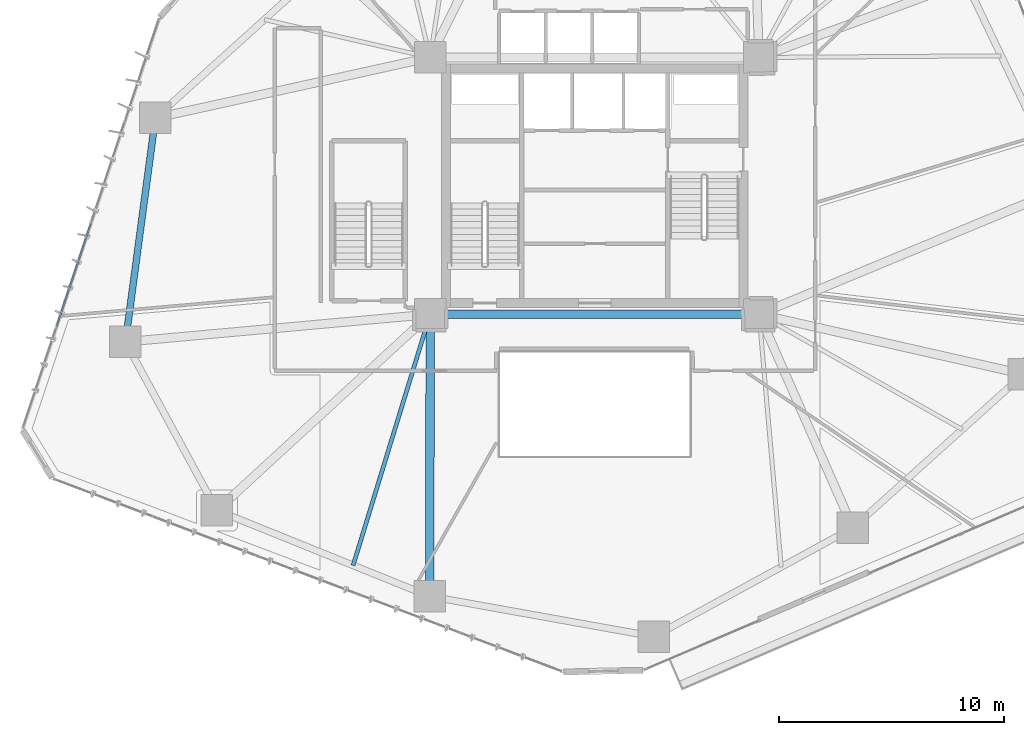
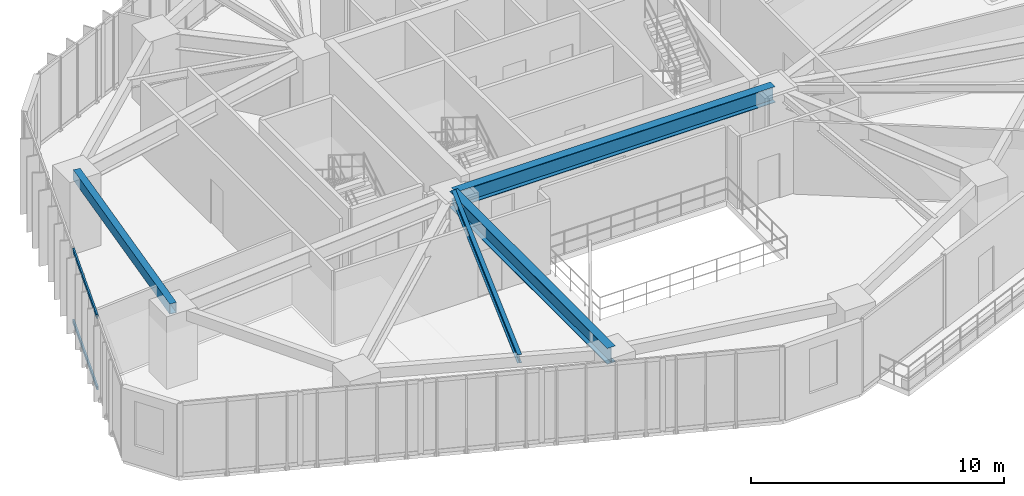
# One storey, part 5 of 23: 4 beams, 2 members, 1 element without a shape of its own.
"""IFC4 building model written with IfcOpenShell, lengths in metres."""

from ifc_helpers import new_model, si_unit, direction, frame, origin, origin_2d, place, context, subcontext, project, spatial, hollow_rectangle, i_section, extrude, source, transform, mapped, material, layer, layer_set, material_profile, profile_set, type_object, type_shapes, element, aggregate, save


model = new_model("IFC4")

# Units and contexts
model_context = context("Model", 3, precision=1e-05, world=origin(), true_north=direction((0.0, 1.0)))
body_context = subcontext(model_context, "Body", "Model", "MODEL_VIEW")
ifc_project = project(units=[si_unit("LENGTHUNIT", "METRE"), si_unit("AREAUNIT", "SQUARE_METRE"), si_unit("VOLUMEUNIT", "CUBIC_METRE"), si_unit("PLANEANGLEUNIT", "RADIAN"), si_unit("MASSUNIT", "GRAM", prefix="KILO")], contexts=[model_context])

# Site, building, storey
site_placement = place(None, origin())
site = spatial("IfcSite", under=ifc_project, at=site_placement, CompositionType="ELEMENT")
building_placement = place(site_placement, origin())
building = spatial("IfcBuilding", under=site, at=building_placement, Name="Talar Marvaseh", CompositionType="ELEMENT")
storey_placement = place(building_placement, frame((0.0, 0.0, 27.800048828125)))
storey = spatial("IfcBuildingStorey", under=building, at=storey_placement, Name="L06", CompositionType="ELEMENT", Elevation=27.800048828125)

# Beams
ifc_material_1 = material(Name="Steel S355", Category="steel")
ifc_material_profile_1 = material_profile(ifc_material_1, hollow_rectangle(XDim=0.300048828125, YDim=0.5, WallThickness=0.02001953125, at=origin_2d()), Name="RHS500x300x20")
ifc_profile_set_1 = profile_set([ifc_material_profile_1], Name="Steel S355")
beam_type_1 = type_object("IfcBeamType", Name="Zone 1 Perimeter Spandrel Beam RHS500x300x20", PredefinedType="SPANDREL", material=ifc_profile_set_1)
beam_1_placement = place(storey_placement, frame((5.175048828125, 24.27587890625, 3.27001953125), z_axis=(0.132340758564, 0.991204279461, 0.0), x_axis=(-0.991204279461, 0.132340758564, 0.0)))
element("IfcBeam", 1, at=beam_1_placement, inside=storey, type_object=beam_type_1, Name="L06 Zone 1 Perimeter Spandrel Beam RHS500x300x20", PredefinedType="SPANDREL", context=body_context, shape_type="SweptSolid", body=[
    extrude(hollow_rectangle(XDim=0.300048828125, YDim=0.5, WallThickness=0.02001953125, at=origin_2d()), origin(), (0.0, 0.0, 1.0), 10.0263671875),
])
ifc_material_profile_2 = material_profile(ifc_material_1, i_section(OverallWidth=0.381103515625, OverallDepth=0.77294921875, WebThickness=0.0166015625, FlangeThickness=0.027099609375, at=origin_2d()), Name="W760x257")
ifc_profile_set_2 = profile_set([ifc_material_profile_2], Name="Steel S355")
beam_type_2 = type_object("IfcBeamType", Name="Zone 1 Radial Floor Girder W760x257", PredefinedType="BEAM", material=ifc_profile_set_2)
beam_2_placement = place(storey_placement, frame((18.699951171875, 25.5, 3.133544921875), z_axis=(1.0, 0.0, 0.0), x_axis=(0.0, 1.0, 0.0)))
element("IfcBeam", 2, at=beam_2_placement, inside=storey, type_object=beam_type_2, Name="L06 Zone 1 Radial Floor Girder W760x257", PredefinedType="BEAM", context=body_context, shape_type="SweptSolid", body=[
    extrude(i_section(OverallWidth=0.381103515625, OverallDepth=0.77294921875, WebThickness=0.0166015625, FlangeThickness=0.027099609375, at=origin_2d()), origin(), (0.0, 0.0, 1.0), 14.60009765625),
])
beam_3_placement = place(storey_placement, frame((18.68310546875, 12.97900390625, 3.133544921875), z_axis=(0.001345395187, 0.999999094955, 0.0), x_axis=(-0.999999094955, 0.001345395187, 0.0)))
element("IfcBeam", 3, at=beam_3_placement, inside=storey, type_object=beam_type_2, Name="L06 Zone 1 Radial Floor Girder W760x257", PredefinedType="BEAM", context=body_context, shape_type="SweptSolid", body=[
    extrude(i_section(OverallWidth=0.381103515625, OverallDepth=0.77294921875, WebThickness=0.0166015625, FlangeThickness=0.027099609375, at=origin_2d()), origin(), (0.0, 0.0, 1.0), 12.52099609375),
])
ifc_material_profile_3 = material_profile(ifc_material_1, i_section(OverallWidth=0.179931640625, OverallDepth=0.4130859375, WebThickness=0.009765625, FlangeThickness=0.01611328125, at=origin_2d()), Name="W410x75")
ifc_profile_set_3 = profile_set([ifc_material_profile_3], Name="Steel S355")
beam_type_3 = type_object("IfcBeamType", Name="Zone 1 Secondary Floor Joist W410x75", PredefinedType="JOIST", material=ifc_profile_set_3)
beam_4_placement = place(storey_placement, frame((15.280517578125, 14.35302734375, 3.3134765625), z_axis=(0.293270595159, 0.956029475495, 0.0), x_axis=(-0.956029475495, 0.293270595159, 0.0)))
element("IfcBeam", 4, at=beam_4_placement, inside=storey, type_object=beam_type_3, Name="L06 Zone 1 Secondary Floor Joist W410x75", PredefinedType="JOIST", context=body_context, shape_type="SweptSolid", body=[
    extrude(i_section(OverallWidth=0.179931640625, OverallDepth=0.4130859375, WebThickness=0.009765625, FlangeThickness=0.01611328125, at=origin_2d()), origin(), (0.0, 0.0, 1.0), 11.65966796875),
])

# Curtain wall, members
ifc_material_2 = material(Name="Architectural Aluminium", Category="aluminium")
ifc_layer = layer(ifc_material_2, 0.219970703125)
ifc_layer_set = layer_set([ifc_layer], Name="Architectural Aluminium")
curtain_wall_type = type_object("IfcCurtainWallType", Name="Unitised Low-E Museum Curtain Wall Z1", PredefinedType="NOTDEFINED", material=ifc_layer_set)
curtain_wall_placement = place(storey_placement, origin())
curtain_wall = element("IfcCurtainWall", 5, at=curtain_wall_placement, inside=storey, type_object=curtain_wall_type, Name="L06 Unitised Low-E Museum Curtain Wall Z1", PredefinedType="NOTDEFINED")
ifc_material_profile_4 = material_profile(ifc_material_2, hollow_rectangle(XDim=0.074951171875, YDim=0.179931640625, WallThickness=0.0048828125, at=origin_2d()), Name="RHS180x75x5")
ifc_profile_set_4 = profile_set([ifc_material_profile_4], Name="Architectural Aluminium")
member_type = type_object("IfcMemberType", Name="Unitised Curtain Wall Transom RHS180x75x5", PredefinedType="USERDEFINED", material=ifc_profile_set_4)
shared_shape = source(origin(), body_context, "Body", "SweptSolid", [
    extrude(hollow_rectangle(XDim=0.074951171875, YDim=0.179931640625, WallThickness=0.0048828125, at=origin_2d()), origin(), (0.0, 0.0, 1.0), 4.736572265625),
])
type_shapes(member_type, [shared_shape])
member_1_placement = place(storey_placement, frame((2.1357421875, 25.00048828125, 0.037353515625), z_axis=(0.315701977023, 0.948858399185, 0.0), x_axis=(-0.948858399185, 0.315701977023, 0.0)))
member_1 = element("IfcMember", 6, at=member_1_placement, type_object=member_type, Name="CW-Z1 transom 2.1", ObjectType="TRANSOM", PredefinedType="USERDEFINED", context=body_context, shape_type="MappedRepresentation", body=[
    mapped(shared_shape, transform((0.0, 0.0, 0.0), x_axis=(1.0, 0.0, 0.0), y_axis=(0.0, 1.0, 0.0), z_axis=(0.0, 0.0, 1.0), scale=1.0)),
])
member_2_placement = place(storey_placement, frame((2.1357421875, 25.00048828125, 3.482421875), z_axis=(0.315701977023, 0.948858399185, 0.0), x_axis=(-0.948858399185, 0.315701977023, 0.0)))
member_2 = element("IfcMember", 7, at=member_2_placement, type_object=member_type, Name="CW-Z1 transom 2.2", ObjectType="TRANSOM", PredefinedType="USERDEFINED", context=body_context, shape_type="MappedRepresentation", body=[
    mapped(shared_shape, transform((0.0, 0.0, 0.0), x_axis=(1.0, 0.0, 0.0), y_axis=(0.0, 1.0, 0.0), z_axis=(0.0, 0.0, 1.0), scale=1.0)),
])
aggregate(curtain_wall, [member_1, member_2])

save(model, "model.ifc")
